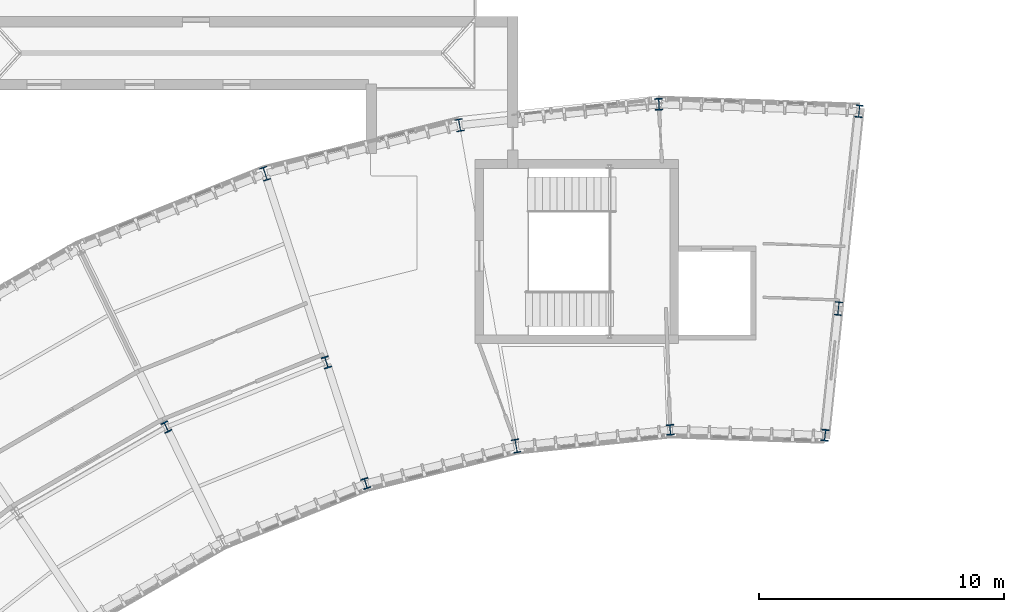
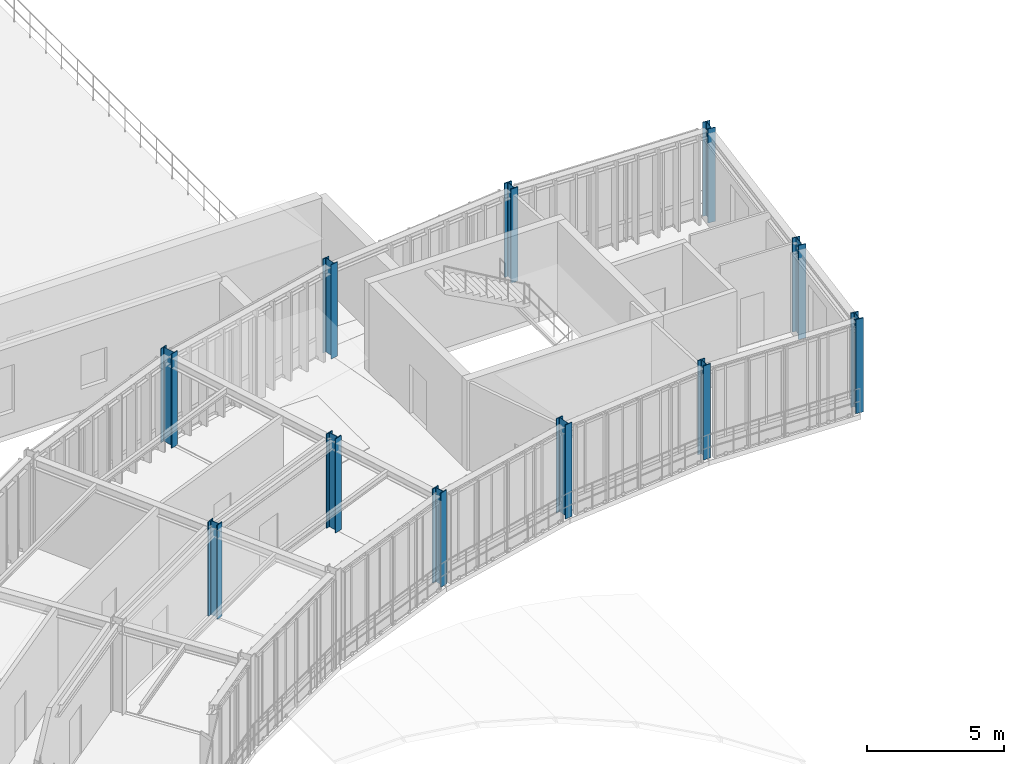
# One storey, part 7 of 57: 11 columns.
"""IFC4 building model written with IfcOpenShell, lengths in metres."""

from ifc_helpers import new_model, si_unit, direction, frame, origin, origin_2d, place, context, subcontext, project, spatial, i_section, extrude, material, material_profile, profile_set, type_object, element, save


model = new_model("IFC4")

# Units and contexts
model_context = context("Model", 3, precision=1e-05, world=origin(), true_north=direction((0.0, 1.0)))
body_context = subcontext(model_context, "Body", "Model", "MODEL_VIEW")
ifc_project = project(units=[si_unit("LENGTHUNIT", "METRE"), si_unit("AREAUNIT", "SQUARE_METRE"), si_unit("VOLUMEUNIT", "CUBIC_METRE"), si_unit("PLANEANGLEUNIT", "RADIAN"), si_unit("MASSUNIT", "GRAM", prefix="KILO"), si_unit("THERMODYNAMICTEMPERATUREUNIT", "KELVIN"), si_unit("POWERUNIT", "WATT")], contexts=[model_context])

# Site, building, storey
site_placement = place(None, origin())
site = spatial("IfcSite", under=ifc_project, at=site_placement, CompositionType="ELEMENT")
building_placement = place(site_placement, origin())
building = spatial("IfcBuilding", under=site, at=building_placement, Name="Solvatero Civic Police Headquarters", CompositionType="ELEMENT")
storey_placement = place(building_placement, frame((0.0, 0.0, 9.300048828125)))
storey = spatial("IfcBuildingStorey", under=building, at=storey_placement, Name="L02", CompositionType="ELEMENT", Elevation=9.300048828125)

# Columns
ifc_material = material(Name="Steel S355", Category="steel")
ifc_material_profile_1 = material_profile(ifc_material, i_section(OverallWidth=0.300048828125, OverallDepth=0.5, WebThickness=0.014404296875, FlangeThickness=0.028076171875, FilletRadius=0.027099609375, at=origin_2d()), Name="HEB 500")
ifc_profile_set_1 = profile_set([ifc_material_profile_1], Name="Steel S355")
column_type_1 = type_object("IfcColumnType", Name="COL-ST-HEB500", PredefinedType="COLUMN", material=ifc_profile_set_1)
for number, where, z_axis, x_axis, name in (
    (1, (100.130615234375, 84.32861328125, 0.0), (0.0, 0.0, 1.0), (0.994521895368, -0.104528463268, 0.0), "Column ARC-S00-OUT L02"),
    (2, (83.8154296875, 83.759033203125, 0.0), (0.0, 0.0, 1.0), (0.984807753012, 0.173648177667, 0.0), "Column ARC-S02-OUT L02"),
):
    element("IfcColumn", number, at=place(storey_placement, frame(where, z_axis=z_axis, x_axis=x_axis)), inside=storey, type_object=column_type_1, Name=name, PredefinedType="COLUMN", context=body_context, shape_type="SweptSolid", body=[
        extrude(i_section(OverallWidth=0.300048828125, OverallDepth=0.5, WebThickness=0.014404296875, FlangeThickness=0.028076171875, FilletRadius=0.027099609375, at=origin_2d()), origin(), (0.0, 0.0, 1.0), 4.199951171875),
    ])
ifc_material_profile_2 = material_profile(ifc_material, i_section(OverallWidth=0.300048828125, OverallDepth=0.550048828125, WebThickness=0.014892578125, FlangeThickness=0.029052734375, FilletRadius=0.027099609375, at=origin_2d()), Name="HEB 550")
ifc_profile_set_2 = profile_set([ifc_material_profile_2], Name="Steel S355")
column_type_2 = type_object("IfcColumnType", Name="COL-ST-HEB550", PredefinedType="COLUMN", material=ifc_profile_set_2)
for number, where, z_axis, x_axis, name in (
    (3, (99.283935546875, 76.273193359375, 0.0), (0.0, 0.0, 1.0), (0.994521895368, -0.104528463268, 0.0), "Column ARC-S00-MID L02"),
    (4, (86.125, 70.660888671875, 0.0), (0.0, 0.0, 1.0), (0.984807753012, 0.173648177667, 0.0), "Column ARC-S02-IN L02"),
    (5, (75.876220703125, 81.779541015625, 0.0), (0.0, 0.0, 1.0), (0.951056516295, 0.309016994375, 0.0), "Column ARC-S03-OUT L02"),
):
    element("IfcColumn", number, at=place(storey_placement, frame(where, z_axis=z_axis, x_axis=x_axis)), inside=storey, type_object=column_type_2, Name=name, PredefinedType="COLUMN", context=body_context, shape_type="SweptSolid", body=[
        extrude(i_section(OverallWidth=0.300048828125, OverallDepth=0.550048828125, WebThickness=0.014892578125, FlangeThickness=0.029052734375, FilletRadius=0.027099609375, at=origin_2d()), origin(), (0.0, 0.0, 1.0), 4.199951171875),
    ])
ifc_material_profile_3 = material_profile(ifc_material, i_section(OverallWidth=0.306884765625, OverallDepth=0.431884765625, WebThickness=0.02099609375, FlangeThickness=0.0400390625, FilletRadius=0.027099609375, at=origin_2d()), Name="HEM 400")
ifc_profile_set_3 = profile_set([ifc_material_profile_3], Name="Steel S355")
column_type_3 = type_object("IfcColumnType", Name="COL-ST-HEM400", PredefinedType="COLUMN", material=ifc_profile_set_3)
for number, where, z_axis, x_axis, name in (
    (6, (92.417236328125, 71.322509765625, 0.0), (0.0, 0.0, 1.0), (0.999390827019, 0.034899496703, 0.0), "Column ARC-S01-IN L02"),
    (7, (79.986083984375, 69.13037109375, 0.0), (0.0, 0.0, 1.0), (0.951056516295, 0.309016994375, 0.0), "Column ARC-S03-IN L02"),
    (8, (71.84033203125, 71.43408203125, 0.0), (0.0, 0.0, 1.0), (0.898794046299, 0.438371146789, 0.0), "Column ARC-S04-MID L02"),
):
    element("IfcColumn", number, at=place(storey_placement, frame(where, z_axis=z_axis, x_axis=x_axis)), inside=storey, type_object=column_type_3, Name=name, PredefinedType="COLUMN", context=body_context, shape_type="SweptSolid", body=[
        extrude(i_section(OverallWidth=0.306884765625, OverallDepth=0.431884765625, WebThickness=0.02099609375, FlangeThickness=0.0400390625, FilletRadius=0.027099609375, at=origin_2d()), origin(), (0.0, 0.0, 1.0), 4.199951171875),
    ])
ifc_material_profile_4 = material_profile(ifc_material, i_section(OverallWidth=0.306884765625, OverallDepth=0.47802734375, WebThickness=0.02099609375, FlangeThickness=0.0400390625, FilletRadius=0.027099609375, at=origin_2d()), Name="HEM 450")
ifc_profile_set_4 = profile_set([ifc_material_profile_4], Name="Steel S355")
column_type_4 = type_object("IfcColumnType", Name="COL-ST-HEM450", PredefinedType="COLUMN", material=ifc_profile_set_4)
for number, where, z_axis, x_axis, name in (
    (9, (98.740478515625, 71.1015625, 0.0), (0.0, 0.0, 1.0), (0.994521895368, -0.104528463268, 0.0), "Column ARC-S00-IN L02"),
    (10, (91.953125, 84.6142578125, 0.0), (0.0, 0.0, 1.0), (0.999390827019, 0.034899496703, 0.0), "Column ARC-S01-OUT L02"),
    (11, (78.379150390625, 74.075927734375, 0.0), (0.0, 0.0, 1.0), (0.951056516295, 0.309016994375, 0.0), "Column ARC-S03-MID L02"),
):
    element("IfcColumn", number, at=place(storey_placement, frame(where, z_axis=z_axis, x_axis=x_axis)), inside=storey, type_object=column_type_4, Name=name, PredefinedType="COLUMN", context=body_context, shape_type="SweptSolid", body=[
        extrude(i_section(OverallWidth=0.306884765625, OverallDepth=0.47802734375, WebThickness=0.02099609375, FlangeThickness=0.0400390625, FilletRadius=0.027099609375, at=origin_2d()), origin(), (0.0, 0.0, 1.0), 4.199951171875),
    ])

save(model, "model.ifc")
